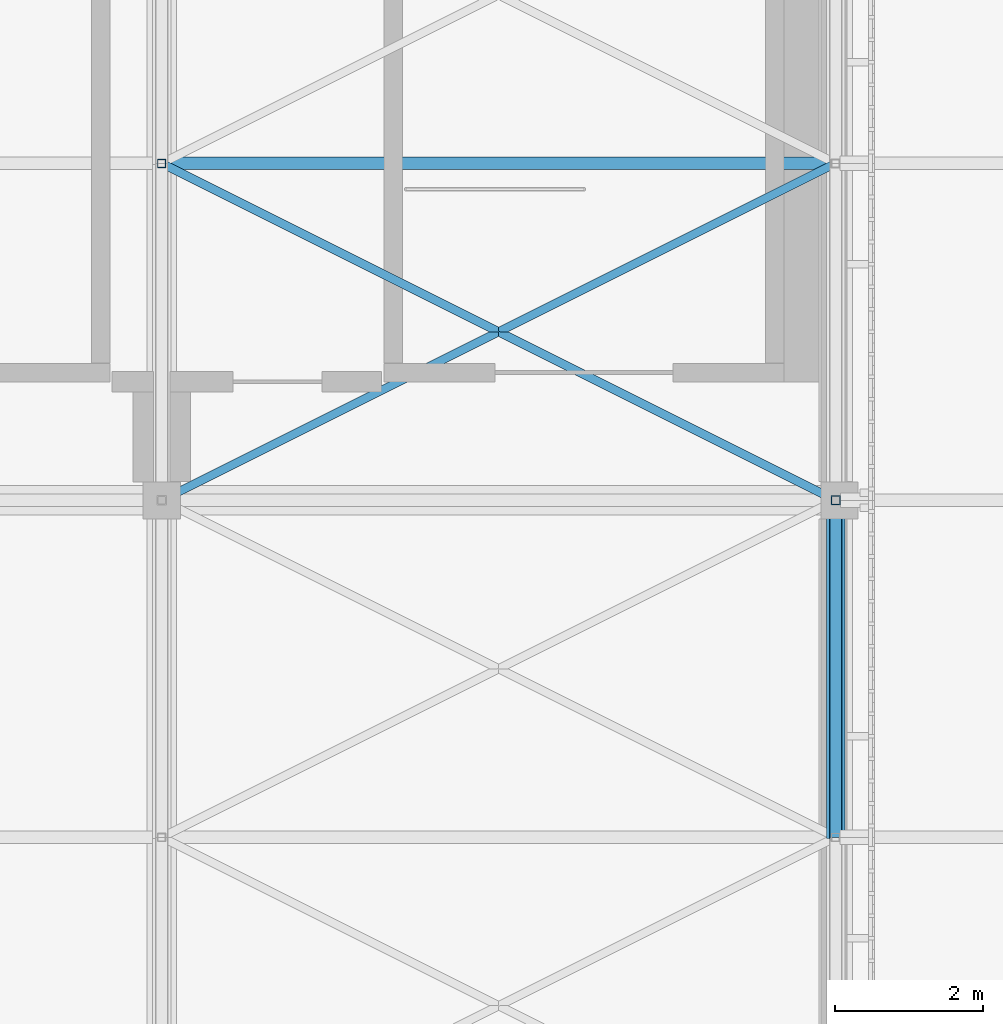
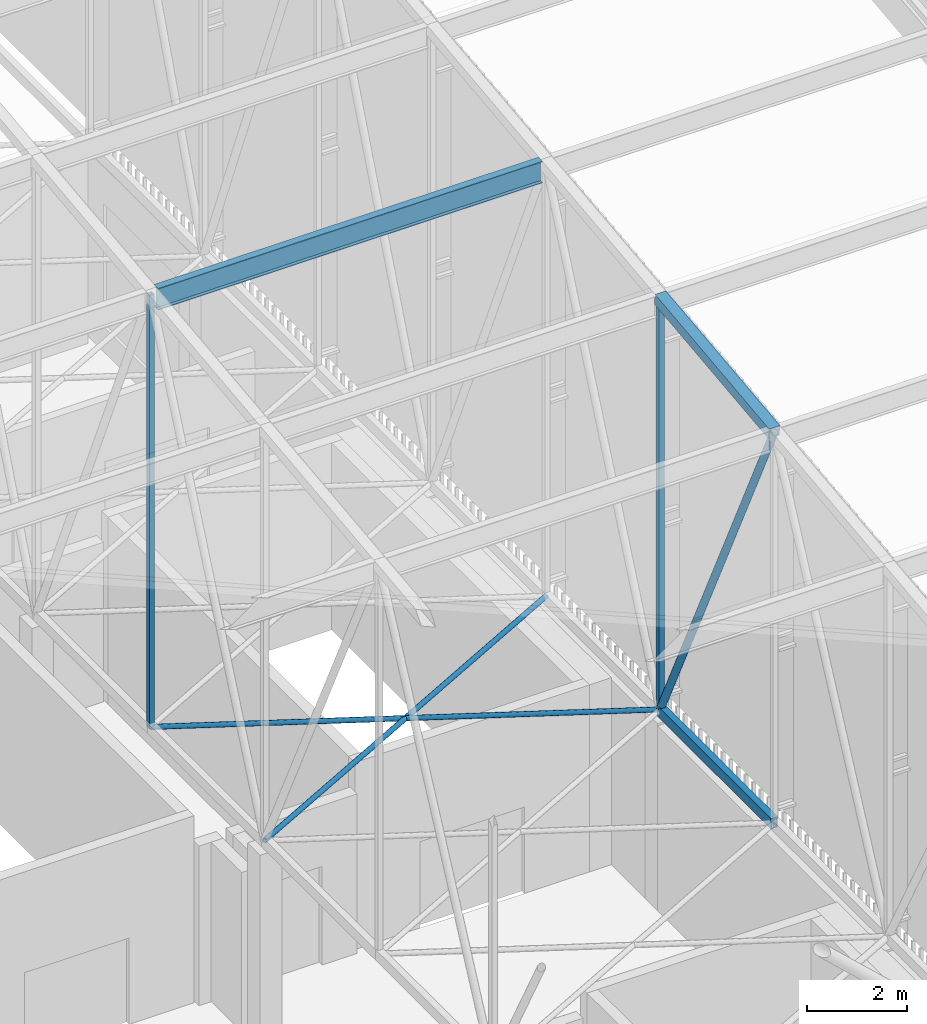
# One storey, part 345 of 500: 8 members.
"""IFC4 building model written with IfcOpenShell, lengths in metres."""

from ifc_helpers import new_model, si_unit, direction, frame, origin, origin_2d, place, context, subcontext, project, spatial, hollow_rectangle, hollow_circle, i_section, extrude, material, material_profile, profile_set, type_object, element, save


model = new_model("IFC4")

# Units and contexts
model_context = context("Model", 3, precision=1e-05, world=origin(), true_north=direction((0.0, 1.0)))
body_context = subcontext(model_context, "Body", "Model", "MODEL_VIEW")
ifc_project = project(units=[si_unit("LENGTHUNIT", "METRE"), si_unit("AREAUNIT", "SQUARE_METRE"), si_unit("VOLUMEUNIT", "CUBIC_METRE"), si_unit("PLANEANGLEUNIT", "RADIAN"), si_unit("MASSUNIT", "GRAM", prefix="KILO")], contexts=[model_context])

# Site, building, storey
site_placement = place(None, origin())
site = spatial("IfcSite", under=ifc_project, at=site_placement, CompositionType="ELEMENT")
building_placement = place(site_placement, origin())
building = spatial("IfcBuilding", under=site, at=building_placement, Name="Shirokan Park Arena", CompositionType="ELEMENT")
storey_placement = place(building_placement, frame((0.0, 0.0, 29.1201171875)))
storey = spatial("IfcBuildingStorey", under=building, at=storey_placement, Name="L06", CompositionType="ELEMENT", Elevation=29.1201171875)

# Members
ifc_material_1 = material(Name="Steel ASTM A500 Grade C", Category="steel")
ifc_material_profile_1 = material_profile(ifc_material_1, hollow_rectangle(XDim=0.152099609375, YDim=0.25390625, WallThickness=0.009521484375, at=origin_2d()), Name="HSS254X152.4X9.5")
ifc_profile_set_1 = profile_set([ifc_material_profile_1], Name="Steel ASTM A500 Grade C")
member_type_1 = type_object("IfcMemberType", Name="Bottom chord HSS254X152.4X9.5", PredefinedType="CHORD", material=ifc_profile_set_1)
member_1_placement = place(storey_placement, frame((145.60009765625, 13.64990234375, 4.677001953125), z_axis=(0.0, 1.0, 0.0), x_axis=(-1.0, 0.0, 0.0)))
element("IfcMember", 1, at=member_1_placement, inside=storey, type_object=member_type_1, Name="Truss T17 bottom chord 6", PredefinedType="CHORD", context=body_context, shape_type="SweptSolid", body=[
    extrude(hollow_rectangle(XDim=0.152099609375, YDim=0.25390625, WallThickness=0.009521484375, at=origin_2d()), origin(), (0.0, 0.0, 1.0), 4.550048828125),
])
ifc_material_profile_2 = material_profile(ifc_material_1, hollow_circle(Radius=0.056884765625, WallThickness=0.006103515625, at=origin_2d()), Name="HSS114.3X6")
ifc_profile_set_2 = profile_set([ifc_material_profile_2], Name="Steel ASTM A500 Grade C")
member_type_2 = type_object("IfcMemberType", Name="Plan bracing HSS114.3X6", PredefinedType="BRACE", material=ifc_profile_set_2)
for number, where, z_axis, x_axis, name in (
    (2, (136.5, 18.199951171875, 4.677001953125), (0.894427191, 0.4472135955, 0.0), (-0.4472135955, 0.894427191, 0.0), "Plan bracing bay 16 panel 7 A"),
    (3, (145.60009765625, 18.199951171875, 4.677001953125), (-0.894427191, 0.4472135955, 0.0), (-0.4472135955, -0.894427191, 0.0), "Plan bracing bay 16 panel 7 B"),
):
    element("IfcMember", number, at=place(storey_placement, frame(where, z_axis=z_axis, x_axis=x_axis)), inside=storey, type_object=member_type_2, Name=name, PredefinedType="BRACE", context=body_context, shape_type="SweptSolid", body=[
        extrude(hollow_circle(Radius=0.056884765625, WallThickness=0.006103515625, at=origin_2d()), origin(), (0.0, 0.0, 1.0), 10.17431640625),
    ])
ifc_material_2 = material(Name="Steel ASTM A992", Category="steel")
ifc_material_profile_3 = material_profile(ifc_material_2, i_section(OverallWidth=0.166015625, OverallDepth=0.528076171875, WebThickness=0.009765625, FlangeThickness=0.013671875, at=origin_2d()), Name="W530X74")
ifc_profile_set_3 = profile_set([ifc_material_profile_3], Name="Steel ASTM A992")
member_type_3 = type_object("IfcMemberType", Name="Purlin W530X74", PredefinedType="PURLIN", material=ifc_profile_set_3)
member_2_placement = place(storey_placement, frame((136.626953125, 22.75, 15.0859375), z_axis=(1.0, 0.0, 0.0), x_axis=(0.0, 1.0, 0.0)))
element("IfcMember", 4, at=member_2_placement, inside=storey, type_object=member_type_3, Name="Purlin 8 bay 16", PredefinedType="PURLIN", context=body_context, shape_type="SweptSolid", body=[
    extrude(i_section(OverallWidth=0.166015625, OverallDepth=0.528076171875, WebThickness=0.009765625, FlangeThickness=0.013671875, at=origin_2d()), origin(), (0.0, 0.0, 1.0), 8.845947265625),
])
ifc_material_profile_4 = material_profile(ifc_material_1, hollow_rectangle(XDim=0.25390625, YDim=0.25390625, WallThickness=0.009521484375, at=origin_2d()), Name="HSS254X254X9.5")
ifc_profile_set_4 = profile_set([ifc_material_profile_4], Name="Steel ASTM A500 Grade C")
member_type_4 = type_object("IfcMemberType", Name="Top chord HSS254X254X9.5", PredefinedType="CHORD", material=ifc_profile_set_4)
member_3_placement = place(storey_placement, frame((145.60009765625, 13.64990234375, 14.182861328125), z_axis=(0.0, 0.993532328996, 0.113549598152), x_axis=(-1.0, 0.0, 0.0)))
element("IfcMember", 5, at=member_3_placement, inside=storey, type_object=member_type_4, Name="Truss T17 top chord 6", PredefinedType="CHORD", context=body_context, shape_type="SweptSolid", body=[
    extrude(hollow_rectangle(XDim=0.25390625, YDim=0.25390625, WallThickness=0.009521484375, at=origin_2d()), origin(), (0.0, 0.0, 1.0), 4.57958984375),
])
ifc_material_profile_5 = material_profile(ifc_material_1, hollow_circle(Radius=0.083984375, WallThickness=0.009521484375, at=origin_2d()), Name="HSS168.3X9.5")
ifc_profile_set_5 = profile_set([ifc_material_profile_5], Name="Steel ASTM A500 Grade C")
member_type_5 = type_object("IfcMemberType", Name="Truss diagonal HSS168.3X9.5", PredefinedType="BRACE", material=ifc_profile_set_5)
member_4_placement = place(storey_placement, frame((145.60009765625, 13.64990234375, 14.182861328125), z_axis=(0.0, 0.431746476626, -0.901994999942), x_axis=(-1.0, 0.0, 0.0)))
element("IfcMember", 6, at=member_4_placement, inside=storey, type_object=member_type_5, Name="Truss T17 diagonal 6", PredefinedType="BRACE", context=body_context, shape_type="SweptSolid", body=[
    extrude(hollow_circle(Radius=0.083984375, WallThickness=0.009521484375, at=origin_2d()), origin(), (0.0, 0.0, 1.0), 10.538818359375),
])
ifc_material_profile_6 = material_profile(ifc_material_1, hollow_rectangle(XDim=0.114013671875, YDim=0.114013671875, WallThickness=0.00634765625, at=origin_2d()), Name="HSS114.3X114.3X6.4")
ifc_profile_set_6 = profile_set([ifc_material_profile_6], Name="Steel ASTM A500 Grade C")
member_type_6 = type_object("IfcMemberType", Name="Truss post HSS114.3X114.3X6.4", PredefinedType="POST", material=ifc_profile_set_6)
member_5_placement = place(storey_placement, frame((136.5, 22.75, 4.677001953125), z_axis=(0.0, 0.0, 1.0), x_axis=(1.0, 0.0, 0.0)))
element("IfcMember", 7, at=member_5_placement, inside=storey, type_object=member_type_6, Name="Truss T16 post 8", PredefinedType="POST", context=body_context, shape_type="SweptSolid", body=[
    extrude(hollow_rectangle(XDim=0.114013671875, YDim=0.114013671875, WallThickness=0.00634765625, at=origin_2d()), origin(), (0.0, 0.0, 1.0), 10.5458984375),
])
ifc_material_profile_7 = material_profile(ifc_material_1, hollow_rectangle(XDim=0.126953125, YDim=0.126953125, WallThickness=0.0126953125, at=origin_2d()), Name="HSS127X127X12.7")
ifc_profile_set_7 = profile_set([ifc_material_profile_7], Name="Steel ASTM A500 Grade C")
member_type_7 = type_object("IfcMemberType", Name="Truss post HSS127X127X12.7", PredefinedType="POST", material=ifc_profile_set_7)
member_6_placement = place(storey_placement, frame((145.60009765625, 18.199951171875, 4.677001953125), z_axis=(0.0, 0.0, 1.0), x_axis=(1.0, 0.0, 0.0)))
element("IfcMember", 8, at=member_6_placement, inside=storey, type_object=member_type_7, Name="Truss T17 post 7", PredefinedType="POST", context=body_context, shape_type="SweptSolid", body=[
    extrude(hollow_rectangle(XDim=0.126953125, YDim=0.126953125, WallThickness=0.0126953125, at=origin_2d()), origin(), (0.0, 0.0, 1.0), 10.02587890625),
])

save(model, "model.ifc")
